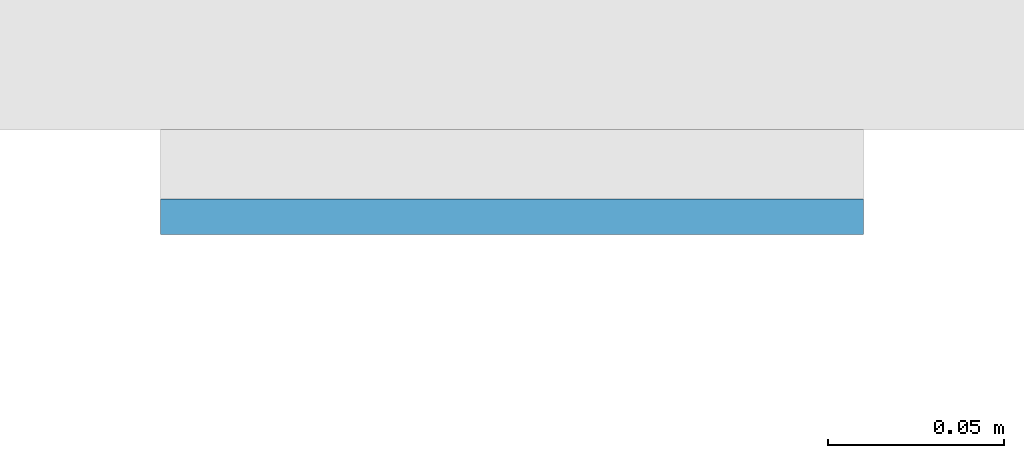
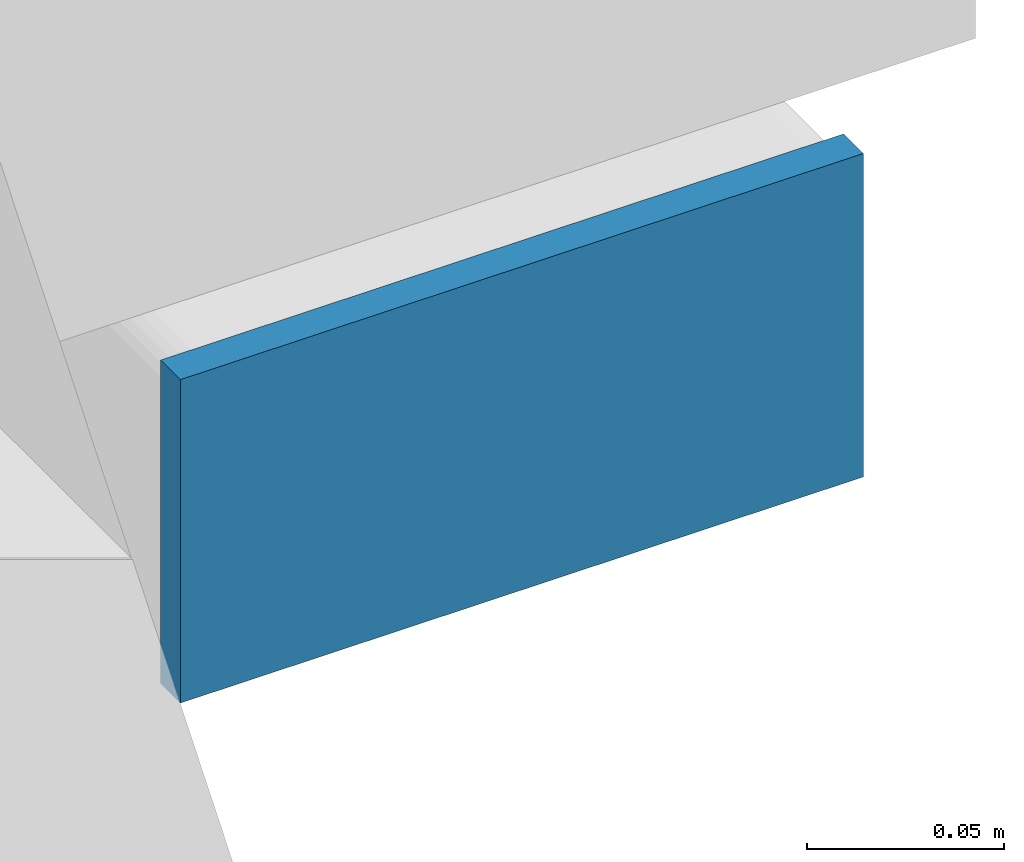
# One storey, part 10 of 21: 1 plate.
"""IFC4 building model written with IfcOpenShell, lengths in metres."""

from ifc_helpers import new_model, si_unit, direction, frame, origin, origin_2d, place, context, subcontext, project, spatial, rectangle, extrude, material, layer, layer_set, type_object, element, save


model = new_model("IFC4")

# Units and contexts
model_context = context("Model", 3, precision=1e-05, world=origin(), true_north=direction((0.0, 1.0)))
body_context = subcontext(model_context, "Body", "Model", "MODEL_VIEW")
ifc_project = project(units=[si_unit("LENGTHUNIT", "METRE"), si_unit("AREAUNIT", "SQUARE_METRE"), si_unit("VOLUMEUNIT", "CUBIC_METRE"), si_unit("PLANEANGLEUNIT", "RADIAN"), si_unit("MASSUNIT", "GRAM", prefix="KILO")], contexts=[model_context])

# Site, building, storey
site_placement = place(None, origin())
site = spatial("IfcSite", under=ifc_project, at=site_placement, CompositionType="ELEMENT")
building_placement = place(site_placement, origin())
building = spatial("IfcBuilding", under=site, at=building_placement, Name="Cleftline Residences", CompositionType="ELEMENT")
storey_placement = place(building_placement, frame((0.0, 0.0, 128.60009765625)))
storey = spatial("IfcBuildingStorey", under=building, at=storey_placement, Name="L33", CompositionType="ELEMENT", Elevation=128.60009765625)

# Plate
ifc_material = material(Name="Steel S355, hot-dip galvanised", Category="steel")
ifc_layer = layer(ifc_material, 0.010009765625)
ifc_layer_set = layer_set([ifc_layer], Name="BAGUETTE CARRIER END PLATE 200X100X10")
plate_type = type_object("IfcPlateType", Name="BAGUETTE CARRIER END PLATE 200X100X10", PredefinedType="USERDEFINED", material=ifc_layer_set)
plate_placement = place(storey_placement, frame((66.85009765625, 3.695068359375, -0.10009765625), z_axis=(0.0, 0.0, 1.0), x_axis=(1.0, 0.0, 0.0)))
element("IfcPlate", 1, at=plate_placement, inside=storey, type_object=plate_type, Name="Baguette carrier end plate", ObjectType="BAGUETTE CARRIER END PLATE", PredefinedType="USERDEFINED", context=body_context, shape_type="SweptSolid", body=[
    extrude(rectangle(XDim=0.199951171875, YDim=0.010009765625, at=origin_2d()), origin(), (0.0, 0.0, 1.0), 0.10009765625),
])

save(model, "model.ifc")
